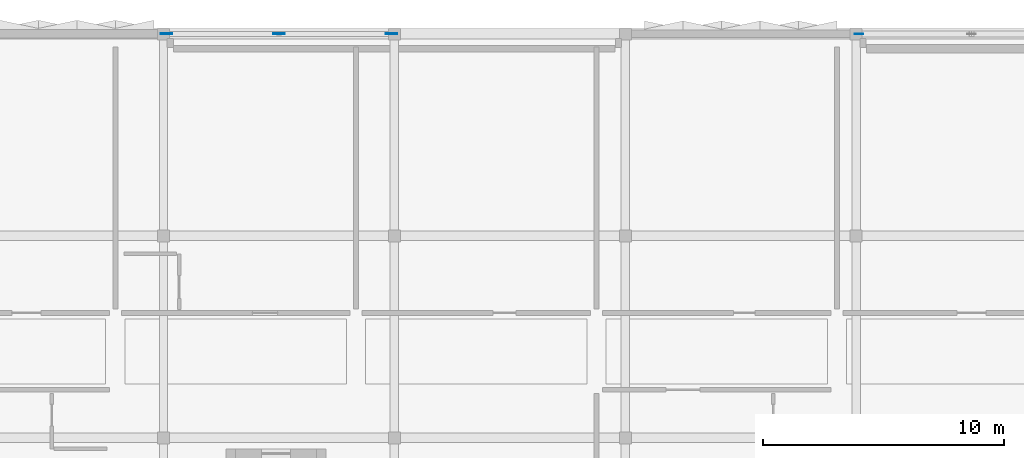
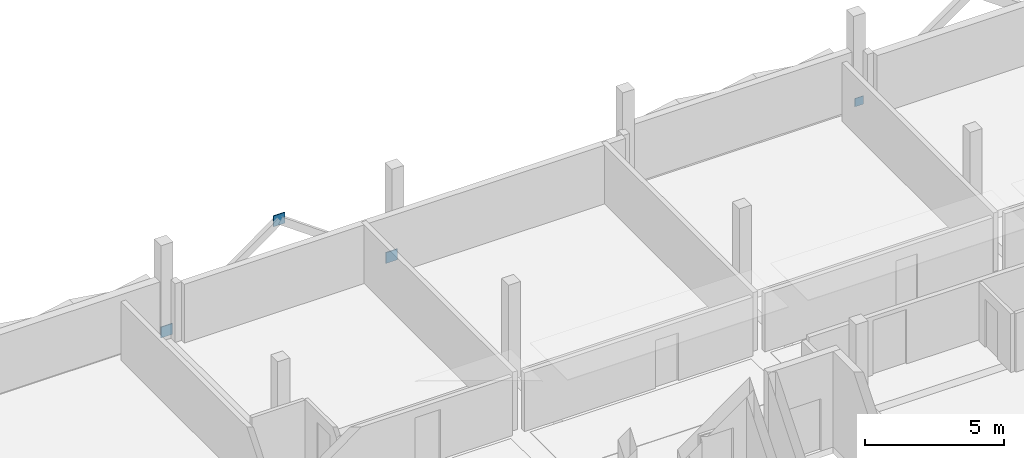
# One storey, part 4 of 13: 4 plates.
"""IFC4 building model written with IfcOpenShell, lengths in metres."""

from ifc_helpers import new_model, si_unit, direction, frame, origin, origin_2d, place, context, subcontext, project, spatial, rectangle, extrude, material, layer, layer_set, type_object, element, save


model = new_model("IFC4")

# Units and contexts
model_context = context("Model", 3, precision=1e-05, world=origin(), true_north=direction((0.0, 1.0)))
body_context = subcontext(model_context, "Body", "Model", "MODEL_VIEW")
ifc_project = project(units=[si_unit("LENGTHUNIT", "METRE"), si_unit("AREAUNIT", "SQUARE_METRE"), si_unit("VOLUMEUNIT", "CUBIC_METRE"), si_unit("PLANEANGLEUNIT", "RADIAN"), si_unit("MASSUNIT", "GRAM", prefix="KILO")], contexts=[model_context])

# Site, building, storey
site_placement = place(None, origin())
site = spatial("IfcSite", under=ifc_project, at=site_placement, CompositionType="ELEMENT")
building_placement = place(site_placement, origin())
building = spatial("IfcBuilding", under=site, at=building_placement, Name="Oolite Switchyard Hospital", CompositionType="ELEMENT")
storey_placement = place(building_placement, frame((0.0, 0.0, 30.39990234375)))
storey = spatial("IfcBuildingStorey", under=building, at=storey_placement, Name="L07", CompositionType="ELEMENT", Elevation=30.39990234375)

# Plates
ifc_material = material(Name="Steel ASTM A572 Grade 50", Category="steel")
ifc_layer_1 = layer(ifc_material, 0.02392578125)
ifc_layer_set_1 = layer_set([ifc_layer_1], Name="PLT-GUS-360")
plate_type_1 = type_object("IfcPlateType", Name="PLT-GUS-360", PredefinedType="SHEET", material=ifc_layer_set_1)
plate_placement = place(storey_placement, frame((182.52001953125, 134.39990234375, 0.02001953125), z_axis=(0.0, 0.0, 1.0), x_axis=(1.0, 0.0, 0.0)))
element("IfcPlate", 1, at=plate_placement, inside=storey, type_object=plate_type_1, Name="L07 Brace Base Gusset Plate 88", PredefinedType="SHEET", context=body_context, shape_type="SweptSolid", body=[
    extrude(rectangle(XDim=0.360107421875, YDim=0.02392578125, at=origin_2d()), origin(), (0.0, 0.0, 1.0), 0.360107421875),
])
ifc_layer_2 = layer(ifc_material, 0.031982421875)
ifc_layer_set_2 = layer_set([ifc_layer_2], Name="PLT-GUS-480")
plate_type_2 = type_object("IfcPlateType", Name="PLT-GUS-480", PredefinedType="SHEET", material=ifc_layer_set_2)
for number, where, z_axis, x_axis, name in (
    (2, (153.719970703125, 134.39990234375, -0.039794921875), (0.0, 0.0, 1.0), (1.0, 0.0, 0.0), "L07 Brace Base Gusset Plate 64"),
    (3, (163.080078125, 134.39990234375, -0.039794921875), (0.0, 0.0, 1.0), (1.0, 0.0, 0.0), "L07 Brace Base Gusset Plate 65"),
    (4, (158.39990234375, 134.39990234375, 3.210205078125), (0.0, 0.0, 1.0), (1.0, 0.0, 0.0), "L07 Gusset Connection Plate 66"),
):
    element("IfcPlate", number, at=place(storey_placement, frame(where, z_axis=z_axis, x_axis=x_axis)), inside=storey, type_object=plate_type_2, Name=name, PredefinedType="SHEET", context=body_context, shape_type="SweptSolid", body=[
        extrude(rectangle(XDim=0.47998046875, YDim=0.031982421875, at=origin_2d()), origin(), (0.0, 0.0, 1.0), 0.47998046875),
    ])

save(model, "model.ifc")
